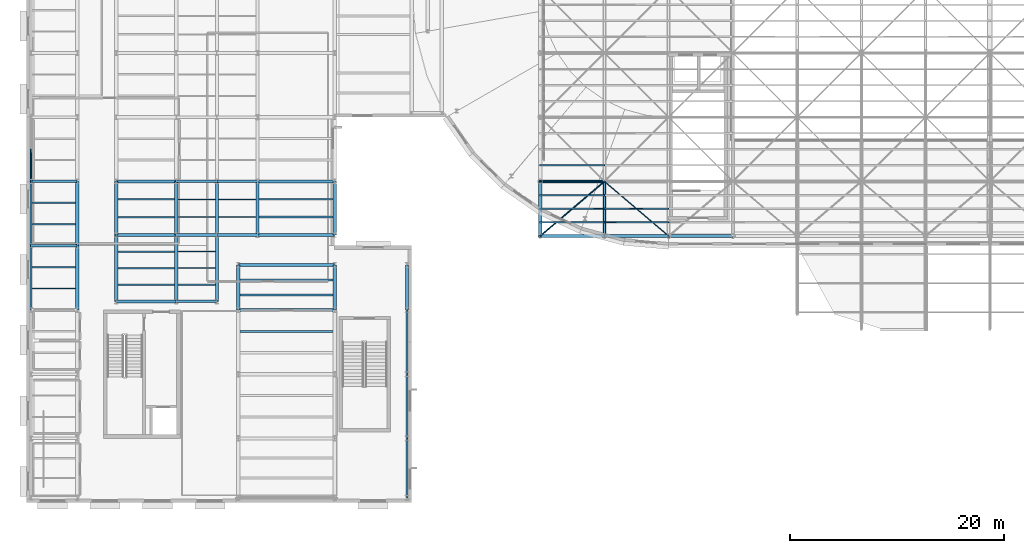
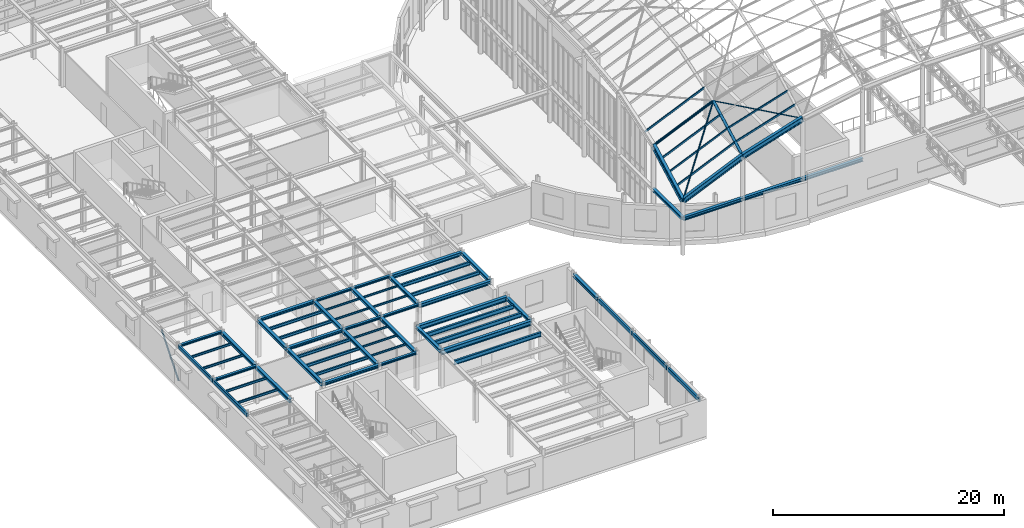
# One storey, part 16 of 75: 60 beams, 11 members.
"""IFC4 building model written with IfcOpenShell, lengths in metres."""

from ifc_helpers import new_model, si_unit, direction, frame, origin, origin_2d, place, context, subcontext, project, spatial, hollow_rectangle, hollow_circle, i_section, extrude, material, material_profile, profile_set, type_object, element, save


model = new_model("IFC4")

# Units and contexts
model_context = context("Model", 3, precision=1e-05, world=origin(), true_north=direction((0.0, 1.0)))
body_context = subcontext(model_context, "Body", "Model", "MODEL_VIEW")
ifc_project = project(units=[si_unit("LENGTHUNIT", "METRE"), si_unit("AREAUNIT", "SQUARE_METRE"), si_unit("VOLUMEUNIT", "CUBIC_METRE"), si_unit("PLANEANGLEUNIT", "RADIAN"), si_unit("MASSUNIT", "GRAM", prefix="KILO")], contexts=[model_context])

# Site, building, storey
site_placement = place(None, origin())
site = spatial("IfcSite", under=ifc_project, at=site_placement, CompositionType="ELEMENT")
building_placement = place(site_placement, origin())
building = spatial("IfcBuilding", under=site, at=building_placement, Name="Kolvaren Corner Interchange", CompositionType="ELEMENT")
storey_placement = place(building_placement, frame((0.0, 0.0, 10.5)))
storey = spatial("IfcBuildingStorey", under=building, at=storey_placement, Name="L03", CompositionType="ELEMENT", Elevation=10.5)

# Beams
ifc_material_1 = material(Name="Steel S355", Category="steel")
ifc_material_profile_1 = material_profile(ifc_material_1, i_section(OverallWidth=0.239990234375, OverallDepth=0.22998046875, WebThickness=0.007568359375, FlangeThickness=0.011962890625, FilletRadius=0.02099609375, at=origin_2d()), Name="HEA 240")
ifc_profile_set_1 = profile_set([ifc_material_profile_1], Name="Steel S355")
beam_type_1 = type_object("IfcBeamType", Name="BM-HEA240", PredefinedType="BEAM", material=ifc_profile_set_1)
for number, where, z_axis, x_axis, name in (
    (1, (14.0, 18.800048828125, 3.8349609375), (1.0, 0.0, 0.0), (0.0, 1.0, 0.0), "Storey L03 Grid X Primary Girder 0828"),
    (2, (14.0, 25.0, 3.8349609375), (1.0, 0.0, 0.0), (0.0, 1.0, 0.0), "Storey L03 Grid X Primary Girder 0844"),
    (3, (17.800048828125, 25.0, 3.8349609375), (1.0, 0.0, 0.0), (0.0, 1.0, 0.0), "Storey L03 Grid X Primary Girder 0845"),
    (4, (14.0, 30.0, 3.8349609375), (1.0, 0.0, 0.0), (0.0, 1.0, 0.0), "Storey L03 Grid X Primary Girder 0848"),
    (5, (17.800048828125, 30.0, 3.8349609375), (1.0, 0.0, 0.0), (0.0, 1.0, 0.0), "Storey L03 Grid X Primary Girder 0849"),
):
    element("IfcBeam", number, at=place(storey_placement, frame(where, z_axis=z_axis, x_axis=x_axis)), inside=storey, type_object=beam_type_1, Name=name, PredefinedType="BEAM", context=body_context, shape_type="SweptSolid", body=[
        extrude(i_section(OverallWidth=0.239990234375, OverallDepth=0.22998046875, WebThickness=0.007568359375, FlangeThickness=0.011962890625, FilletRadius=0.02099609375, at=origin_2d()), origin(), (0.0, 0.0, 1.0), 3.800048828125),
    ])
for number, where, z_axis, x_axis, name in (
    (6, (0.449951171875, 24.0, 3.8349609375), (1.0, 0.0, 0.0), (0.0, 1.0, 0.0), "Storey L03 Grid X Primary Girder 0951"),
    (7, (0.449951171875, 30.0, 3.8349609375), (1.0, 0.0, 0.0), (0.0, 1.0, 0.0), "Storey L03 Grid X Primary Girder 0952"),
):
    element("IfcBeam", number, at=place(storey_placement, frame(where, z_axis=z_axis, x_axis=x_axis)), inside=storey, type_object=beam_type_1, Name=name, PredefinedType="BEAM", context=body_context, shape_type="SweptSolid", body=[
        extrude(i_section(OverallWidth=0.239990234375, OverallDepth=0.22998046875, WebThickness=0.007568359375, FlangeThickness=0.011962890625, FilletRadius=0.02099609375, at=origin_2d()), origin(), (0.0, 0.0, 1.0), 4.300048828125),
    ])
ifc_material_2 = material(Name="Steel S355", Category="steel")
ifc_material_profile_2 = material_profile(ifc_material_2, i_section(OverallWidth=0.300048828125, OverallDepth=0.2900390625, WebThickness=0.008544921875, FlangeThickness=0.013916015625, FilletRadius=0.027099609375, at=origin_2d()), Name="HEA 300")
ifc_profile_set_2 = profile_set([ifc_material_profile_2], Name="Steel S355")
beam_type_2 = type_object("IfcBeamType", Name="BM-HEA300", PredefinedType="BEAM", material=ifc_profile_set_2)
for number, where, z_axis, x_axis, name in (
    (8, (8.39990234375, 18.800048828125, 3.804931640625), (1.0, 0.0, 0.0), (0.0, 1.0, 0.0), "Storey L03 Grid X Primary Girder 0827"),
    (9, (8.39990234375, 25.0, 3.804931640625), (1.0, 0.0, 0.0), (0.0, 1.0, 0.0), "Storey L03 Grid X Primary Girder 0843"),
    (10, (8.39990234375, 30.0, 3.804931640625), (1.0, 0.0, 0.0), (0.0, 1.0, 0.0), "Storey L03 Grid X Primary Girder 0847"),
):
    element("IfcBeam", number, at=place(storey_placement, frame(where, z_axis=z_axis, x_axis=x_axis)), inside=storey, type_object=beam_type_2, Name=name, PredefinedType="BEAM", context=body_context, shape_type="SweptSolid", body=[
        extrude(i_section(OverallWidth=0.300048828125, OverallDepth=0.2900390625, WebThickness=0.008544921875, FlangeThickness=0.013916015625, FilletRadius=0.027099609375, at=origin_2d()), origin(), (0.0, 0.0, 1.0), 5.60009765625),
    ])
ifc_material_3 = material(Name="Steel S355", Category="steel")
ifc_material_profile_3 = material_profile(ifc_material_3, i_section(OverallWidth=0.300048828125, OverallDepth=0.31005859375, WebThickness=0.009033203125, FlangeThickness=0.015380859375, FilletRadius=0.027099609375, at=origin_2d()), Name="HEA 320")
ifc_profile_set_3 = profile_set([ifc_material_profile_3], Name="Steel S355")
beam_type_3 = type_object("IfcBeamType", Name="BM-HEA320", PredefinedType="BEAM", material=ifc_profile_set_3)
for number, where, z_axis, x_axis, name in (
    (11, (8.39990234375, 25.0, 3.794921875), (0.0, 1.0, 0.0), (-1.0, 0.0, 0.0), "Storey L03 Grid Y Primary Girder 0888"),
    (12, (14.0, 25.0, 3.794921875), (0.0, 1.0, 0.0), (-1.0, 0.0, 0.0), "Storey L03 Grid Y Primary Girder 0893"),
    (13, (17.800048828125, 25.0, 3.794921875), (0.0, 1.0, 0.0), (-1.0, 0.0, 0.0), "Storey L03 Grid Y Primary Girder 0898"),
    (14, (21.60009765625, 25.0, 3.77490234375), (0.0, 1.0, 0.0), (-1.0, 0.0, 0.0), "Storey L03 Grid Y Primary Girder 0904"),
    (15, (28.800048828125, 25.0, 3.77490234375), (0.0, 1.0, 0.0), (-1.0, 0.0, 0.0), "Storey L03 Grid Y Primary Girder 0912"),
):
    element("IfcBeam", number, at=place(storey_placement, frame(where, z_axis=z_axis, x_axis=x_axis)), inside=storey, type_object=beam_type_3, Name=name, PredefinedType="BEAM", context=body_context, shape_type="SweptSolid", body=[
        extrude(i_section(OverallWidth=0.300048828125, OverallDepth=0.31005859375, WebThickness=0.009033203125, FlangeThickness=0.015380859375, FilletRadius=0.027099609375, at=origin_2d()), origin(), (0.0, 0.0, 1.0), 5.0),
    ])
beam_1_placement = place(storey_placement, frame((48.0, 24.89990234375, 3.794921875), z_axis=(0.0, 1.0, 0.0), x_axis=(-1.0, 0.0, 0.0)))
element("IfcBeam", 16, at=beam_1_placement, inside=storey, type_object=beam_type_3, Name="Storey L03 Grid Y Primary Girder 0925", PredefinedType="BEAM", context=body_context, shape_type="SweptSolid", body=[
    extrude(i_section(OverallWidth=0.300048828125, OverallDepth=0.31005859375, WebThickness=0.009033203125, FlangeThickness=0.015380859375, FilletRadius=0.027099609375, at=origin_2d()), origin(), (0.0, 0.0, 1.0), 5.10009765625),
])
for number, where, z_axis, x_axis, name in (
    (17, (19.800048828125, 18.0, 3.794921875), (0.0, 1.0, 0.0), (-1.0, 0.0, 0.0), "Storey L03 Grid Y Primary Girder 1007"),
    (18, (28.800048828125, 18.0, 3.77490234375), (0.0, 1.0, 0.0), (-1.0, 0.0, 0.0), "Storey L03 Grid Y Primary Girder 1013"),
    (19, (35.550048828125, 18.0, 3.794921875), (0.0, 1.0, 0.0), (-1.0, 0.0, 0.0), "Storey L03 Grid Y Primary Girder 1019"),
):
    element("IfcBeam", number, at=place(storey_placement, frame(where, z_axis=z_axis, x_axis=x_axis)), inside=storey, type_object=beam_type_3, Name=name, PredefinedType="BEAM", context=body_context, shape_type="SweptSolid", body=[
        extrude(i_section(OverallWidth=0.300048828125, OverallDepth=0.31005859375, WebThickness=0.009033203125, FlangeThickness=0.015380859375, FilletRadius=0.027099609375, at=origin_2d()), origin(), (0.0, 0.0, 1.0), 4.199951171875),
    ])
ifc_material_4 = material(Name="Steel S355", Category="steel")
ifc_material_profile_4 = material_profile(ifc_material_4, i_section(OverallWidth=0.300048828125, OverallDepth=0.35009765625, WebThickness=0.010009765625, FlangeThickness=0.017578125, FilletRadius=0.027099609375, at=origin_2d()), Name="HEA 360")
ifc_profile_set_4 = profile_set([ifc_material_profile_4], Name="Steel S355")
beam_type_4 = type_object("IfcBeamType", Name="BM-HEA360", PredefinedType="BEAM", material=ifc_profile_set_4)
for number, where, z_axis, x_axis, name in (
    (20, (48.0, 24.89990234375, 3.77490234375), (1.0, 0.0, 0.0), (0.0, 1.0, 0.0), "Storey L03 Grid X Primary Girder 0829"),
    (21, (54.0, 24.89990234375, 3.77490234375), (1.0, 0.0, 0.0), (0.0, 1.0, 0.0), "Storey L03 Grid X Primary Girder 0830"),
    (22, (60.0, 24.89990234375, 3.77490234375), (1.0, 0.0, 0.0), (0.0, 1.0, 0.0), "Storey L03 Grid X Primary Girder 0831"),
):
    element("IfcBeam", number, at=place(storey_placement, frame(where, z_axis=z_axis, x_axis=x_axis)), inside=storey, type_object=beam_type_4, Name=name, PredefinedType="BEAM", context=body_context, shape_type="SweptSolid", body=[
        extrude(i_section(OverallWidth=0.300048828125, OverallDepth=0.35009765625, WebThickness=0.010009765625, FlangeThickness=0.017578125, FilletRadius=0.027099609375, at=origin_2d()), origin(), (0.0, 0.0, 1.0), 6.0),
    ])
for number, where, z_axis, x_axis, name in (
    (23, (8.39990234375, 18.800048828125, 3.77490234375), (0.0, 1.0, 0.0), (-1.0, 0.0, 0.0), "Storey L03 Grid Y Primary Girder 0887"),
    (24, (14.0, 18.800048828125, 3.77490234375), (0.0, 1.0, 0.0), (-1.0, 0.0, 0.0), "Storey L03 Grid Y Primary Girder 0892"),
    (25, (17.800048828125, 18.800048828125, 3.77490234375), (0.0, 1.0, 0.0), (-1.0, 0.0, 0.0), "Storey L03 Grid Y Primary Girder 0897"),
):
    element("IfcBeam", number, at=place(storey_placement, frame(where, z_axis=z_axis, x_axis=x_axis)), inside=storey, type_object=beam_type_4, Name=name, PredefinedType="BEAM", context=body_context, shape_type="SweptSolid", body=[
        extrude(i_section(OverallWidth=0.300048828125, OverallDepth=0.35009765625, WebThickness=0.010009765625, FlangeThickness=0.017578125, FilletRadius=0.027099609375, at=origin_2d()), origin(), (0.0, 0.0, 1.0), 6.199951171875),
    ])
for number, where, z_axis, x_axis, name in (
    (26, (4.75, 18.0, 3.77490234375), (0.0, 1.0, 0.0), (-1.0, 0.0, 0.0), "Storey L03 Grid Y Primary Girder 0991"),
    (27, (4.75, 24.0, 3.77490234375), (0.0, 1.0, 0.0), (-1.0, 0.0, 0.0), "Storey L03 Grid Y Primary Girder 0992"),
):
    element("IfcBeam", number, at=place(storey_placement, frame(where, z_axis=z_axis, x_axis=x_axis)), inside=storey, type_object=beam_type_4, Name=name, PredefinedType="BEAM", context=body_context, shape_type="SweptSolid", body=[
        extrude(i_section(OverallWidth=0.300048828125, OverallDepth=0.35009765625, WebThickness=0.010009765625, FlangeThickness=0.017578125, FilletRadius=0.027099609375, at=origin_2d()), origin(), (0.0, 0.0, 1.0), 6.0),
    ])
ifc_material_5 = material(Name="Steel S355", Category="steel")
ifc_material_profile_5 = material_profile(ifc_material_5, i_section(OverallWidth=0.300048828125, OverallDepth=0.389892578125, WebThickness=0.010986328125, FlangeThickness=0.01904296875, FilletRadius=0.027099609375, at=origin_2d()), Name="HEA 400")
ifc_profile_set_5 = profile_set([ifc_material_profile_5], Name="Steel S355")
beam_type_5 = type_object("IfcBeamType", Name="BM-HEA400", PredefinedType="BEAM", material=ifc_profile_set_5)
for number, where, z_axis, x_axis, name in (
    (28, (21.60009765625, 25.0, 3.735107421875), (1.0, 0.0, 0.0), (0.0, 1.0, 0.0), "Storey L03 Grid X Primary Girder 0846"),
    (29, (21.60009765625, 30.0, 3.735107421875), (1.0, 0.0, 0.0), (0.0, 1.0, 0.0), "Storey L03 Grid X Primary Girder 0850"),
):
    element("IfcBeam", number, at=place(storey_placement, frame(where, z_axis=z_axis, x_axis=x_axis)), inside=storey, type_object=beam_type_5, Name=name, PredefinedType="BEAM", context=body_context, shape_type="SweptSolid", body=[
        extrude(i_section(OverallWidth=0.300048828125, OverallDepth=0.389892578125, WebThickness=0.010986328125, FlangeThickness=0.01904296875, FilletRadius=0.027099609375, at=origin_2d()), origin(), (0.0, 0.0, 1.0), 7.199951171875),
    ])
ifc_material_6 = material(Name="Steel S355", Category="steel")
ifc_material_profile_6 = material_profile(ifc_material_6, i_section(OverallWidth=0.300048828125, OverallDepth=0.489990234375, WebThickness=0.011962890625, FlangeThickness=0.02294921875, FilletRadius=0.027099609375, at=origin_2d()), Name="HEA 500")
ifc_profile_set_6 = profile_set([ifc_material_profile_6], Name="Steel S355")
beam_type_6 = type_object("IfcBeamType", Name="BM-HEA500", PredefinedType="BEAM", material=ifc_profile_set_6)
for number, where, z_axis, x_axis, name in (
    (30, (19.800048828125, 18.0, 3.68505859375), (1.0, 0.0, 0.0), (0.0, 1.0, 0.0), "Storey L03 Grid X Primary Girder 0949"),
    (31, (19.800048828125, 22.199951171875, 3.68505859375), (1.0, 0.0, 0.0), (0.0, 1.0, 0.0), "Storey L03 Grid X Primary Girder 0950"),
):
    element("IfcBeam", number, at=place(storey_placement, frame(where, z_axis=z_axis, x_axis=x_axis)), inside=storey, type_object=beam_type_6, Name=name, PredefinedType="BEAM", context=body_context, shape_type="SweptSolid", body=[
        extrude(i_section(OverallWidth=0.300048828125, OverallDepth=0.489990234375, WebThickness=0.011962890625, FlangeThickness=0.02294921875, FilletRadius=0.027099609375, at=origin_2d()), origin(), (0.0, 0.0, 1.0), 9.0),
    ])
ifc_material_7 = material(Name="Steel S355", Category="steel")
ifc_material_profile_7 = material_profile(ifc_material_7, i_section(OverallWidth=0.300048828125, OverallDepth=0.5400390625, WebThickness=0.012451171875, FlangeThickness=0.02392578125, FilletRadius=0.027099609375, at=origin_2d()), Name="HEA 550")
ifc_profile_set_7 = profile_set([ifc_material_profile_7], Name="Steel S355")
beam_type_7 = type_object("IfcBeamType", Name="BM-HEA550", PredefinedType="BEAM", material=ifc_profile_set_7)
beam_2_placement = place(storey_placement, frame((48.0, 24.89990234375, 5.6650390625), z_axis=(0.916157334902, 0.0, 0.40081883402), x_axis=(0.0, 1.0, 0.0)))
element("IfcBeam", 32, at=beam_2_placement, inside=storey, type_object=beam_type_7, Name="Concourse Translational Gridshell Eaves Ring Beam 001", PredefinedType="BEAM", context=body_context, shape_type="SweptSolid", body=[
    extrude(i_section(OverallWidth=0.300048828125, OverallDepth=0.5400390625, WebThickness=0.012451171875, FlangeThickness=0.02392578125, FilletRadius=0.027099609375, at=origin_2d()), origin(), (0.0, 0.0, 1.0), 6.549072265625),
])
beam_3_placement = place(storey_placement, frame((54.0, 24.89990234375, 8.2900390625), z_axis=(0.954479978035, 0.0, 0.298274993136), x_axis=(0.0, 1.0, 0.0)))
element("IfcBeam", 33, at=beam_3_placement, inside=storey, type_object=beam_type_7, Name="Concourse Translational Gridshell Eaves Ring Beam 002", PredefinedType="BEAM", context=body_context, shape_type="SweptSolid", body=[
    extrude(i_section(OverallWidth=0.300048828125, OverallDepth=0.5400390625, WebThickness=0.012451171875, FlangeThickness=0.02392578125, FilletRadius=0.027099609375, at=origin_2d()), origin(), (0.0, 0.0, 1.0), 6.2861328125),
])
beam_4_placement = place(storey_placement, frame((48.0, 24.89990234375, 5.6650390625), z_axis=(0.0, 0.880338454691, 0.474346081666), x_axis=(-1.0, 0.0, 0.0)))
element("IfcBeam", 34, at=beam_4_placement, inside=storey, type_object=beam_type_7, Name="Concourse Translational Gridshell Eaves Ring Beam 029", PredefinedType="BEAM", context=body_context, shape_type="SweptSolid", body=[
    extrude(i_section(OverallWidth=0.300048828125, OverallDepth=0.5400390625, WebThickness=0.012451171875, FlangeThickness=0.02392578125, FilletRadius=0.027099609375, at=origin_2d()), origin(), (0.0, 0.0, 1.0), 5.79345703125),
])
ifc_material_8 = material(Name="Steel S355", Category="steel")
ifc_material_profile_8 = material_profile(ifc_material_8, i_section(OverallWidth=0.10009765625, OverallDepth=0.199951171875, WebThickness=0.005615234375, FlangeThickness=0.008544921875, FilletRadius=0.011962890625, at=origin_2d()), Name="IPE 200")
ifc_profile_set_8 = profile_set([ifc_material_profile_8], Name="Steel S355")
beam_type_8 = type_object("IfcBeamType", Name="JS-IPE200", PredefinedType="JOIST", material=ifc_profile_set_8)
for number, where, z_axis, x_axis, name in (
    (35, (14.14990234375, 20.35009765625, 3.85009765625), (1.0, 0.0, 0.0), (0.0, 1.0, 0.0), "Storey L03 Composite Floor Joist 0790"),
    (36, (14.14990234375, 21.89990234375, 3.85009765625), (1.0, 0.0, 0.0), (0.0, 1.0, 0.0), "Storey L03 Composite Floor Joist 0791"),
    (37, (14.14990234375, 23.449951171875, 3.85009765625), (1.0, 0.0, 0.0), (0.0, 1.0, 0.0), "Storey L03 Composite Floor Joist 0792"),
    (38, (14.14990234375, 26.666748046875, 3.85009765625), (1.0, 0.0, 0.0), (0.0, 1.0, 0.0), "Storey L03 Composite Floor Joist 0793"),
    (39, (14.14990234375, 28.333251953125, 3.85009765625), (1.0, 0.0, 0.0), (0.0, 1.0, 0.0), "Storey L03 Composite Floor Joist 0794"),
    (40, (17.949951171875, 26.666748046875, 3.85009765625), (1.0, 0.0, 0.0), (0.0, 1.0, 0.0), "Storey L03 Composite Floor Joist 0801"),
    (41, (17.949951171875, 28.333251953125, 3.85009765625), (1.0, 0.0, 0.0), (0.0, 1.0, 0.0), "Storey L03 Composite Floor Joist 0802"),
):
    element("IfcBeam", number, at=place(storey_placement, frame(where, z_axis=z_axis, x_axis=x_axis)), inside=storey, type_object=beam_type_8, Name=name, PredefinedType="JOIST", context=body_context, shape_type="SweptSolid", body=[
        extrude(i_section(OverallWidth=0.10009765625, OverallDepth=0.199951171875, WebThickness=0.005615234375, FlangeThickness=0.008544921875, FilletRadius=0.011962890625, at=origin_2d()), origin(), (0.0, 0.0, 1.0), 3.5),
    ])
ifc_material_9 = material(Name="Steel S355", Category="steel")
ifc_material_profile_9 = material_profile(ifc_material_9, i_section(OverallWidth=0.1201171875, OverallDepth=0.239990234375, WebThickness=0.006103515625, FlangeThickness=0.009765625, FilletRadius=0.014892578125, at=origin_2d()), Name="IPE 240")
ifc_profile_set_9 = profile_set([ifc_material_profile_9], Name="Steel S355")
beam_type_9 = type_object("IfcBeamType", Name="JS-IPE240", PredefinedType="JOIST", material=ifc_profile_set_9)
for number, where, z_axis, x_axis, name in (
    (42, (0.550048828125, 20.0, 3.830078125), (1.0, 0.0, 0.0), (0.0, 1.0, 0.0), "Storey L03 Composite Floor Joist 0839"),
    (43, (0.550048828125, 22.0, 3.830078125), (1.0, 0.0, 0.0), (0.0, 1.0, 0.0), "Storey L03 Composite Floor Joist 0840"),
    (44, (0.550048828125, 26.0, 3.830078125), (1.0, 0.0, 0.0), (0.0, 1.0, 0.0), "Storey L03 Composite Floor Joist 0841"),
    (45, (0.550048828125, 28.0, 3.830078125), (1.0, 0.0, 0.0), (0.0, 1.0, 0.0), "Storey L03 Composite Floor Joist 0842"),
):
    element("IfcBeam", number, at=place(storey_placement, frame(where, z_axis=z_axis, x_axis=x_axis)), inside=storey, type_object=beam_type_9, Name=name, PredefinedType="JOIST", context=body_context, shape_type="SweptSolid", body=[
        extrude(i_section(OverallWidth=0.1201171875, OverallDepth=0.239990234375, WebThickness=0.006103515625, FlangeThickness=0.009765625, FilletRadius=0.014892578125, at=origin_2d()), origin(), (0.0, 0.0, 1.0), 4.050048828125),
    ])
ifc_material_10 = material(Name="Steel S355", Category="steel")
ifc_material_profile_10 = material_profile(ifc_material_10, i_section(OverallWidth=0.14990234375, OverallDepth=0.300048828125, WebThickness=0.007080078125, FlangeThickness=0.0107421875, FilletRadius=0.014892578125, at=origin_2d()), Name="IPE 300")
ifc_profile_set_10 = profile_set([ifc_material_profile_10], Name="Steel S355")
beam_type_10 = type_object("IfcBeamType", Name="JS-IPE300", PredefinedType="JOIST", material=ifc_profile_set_10)
for number, where, z_axis, x_axis, name in (
    (46, (8.550048828125, 20.35009765625, 3.800048828125), (1.0, 0.0, 0.0), (0.0, 1.0, 0.0), "Storey L03 Composite Floor Joist 0779"),
    (47, (8.550048828125, 21.89990234375, 3.800048828125), (1.0, 0.0, 0.0), (0.0, 1.0, 0.0), "Storey L03 Composite Floor Joist 0780"),
    (48, (8.550048828125, 23.449951171875, 3.800048828125), (1.0, 0.0, 0.0), (0.0, 1.0, 0.0), "Storey L03 Composite Floor Joist 0781"),
    (49, (8.550048828125, 26.666748046875, 3.800048828125), (1.0, 0.0, 0.0), (0.0, 1.0, 0.0), "Storey L03 Composite Floor Joist 0782"),
    (50, (8.550048828125, 28.333251953125, 3.800048828125), (1.0, 0.0, 0.0), (0.0, 1.0, 0.0), "Storey L03 Composite Floor Joist 0783"),
):
    element("IfcBeam", number, at=place(storey_placement, frame(where, z_axis=z_axis, x_axis=x_axis)), inside=storey, type_object=beam_type_10, Name=name, PredefinedType="JOIST", context=body_context, shape_type="SweptSolid", body=[
        extrude(i_section(OverallWidth=0.14990234375, OverallDepth=0.300048828125, WebThickness=0.007080078125, FlangeThickness=0.0107421875, FilletRadius=0.014892578125, at=origin_2d()), origin(), (0.0, 0.0, 1.0), 5.300048828125),
    ])
ifc_material_11 = material(Name="Steel S355", Category="steel")
ifc_material_profile_11 = material_profile(ifc_material_11, i_section(OverallWidth=0.169921875, OverallDepth=0.360107421875, WebThickness=0.008056640625, FlangeThickness=0.0126953125, FilletRadius=0.01806640625, at=origin_2d()), Name="IPE 360")
ifc_profile_set_11 = profile_set([ifc_material_profile_11], Name="Steel S355")
beam_type_11 = type_object("IfcBeamType", Name="JS-IPE360", PredefinedType="JOIST", material=ifc_profile_set_11)
for number, where, z_axis, x_axis, name in (
    (51, (21.75, 26.666748046875, 3.75), (1.0, 0.0, 0.0), (0.0, 1.0, 0.0), "Storey L03 Composite Floor Joist 0815"),
    (52, (21.75, 28.333251953125, 3.75), (1.0, 0.0, 0.0), (0.0, 1.0, 0.0), "Storey L03 Composite Floor Joist 0816"),
):
    element("IfcBeam", number, at=place(storey_placement, frame(where, z_axis=z_axis, x_axis=x_axis)), inside=storey, type_object=beam_type_11, Name=name, PredefinedType="JOIST", context=body_context, shape_type="SweptSolid", body=[
        extrude(i_section(OverallWidth=0.169921875, OverallDepth=0.360107421875, WebThickness=0.008056640625, FlangeThickness=0.0126953125, FilletRadius=0.01806640625, at=origin_2d()), origin(), (0.0, 0.0, 1.0), 6.89990234375),
    ])
ifc_material_12 = material(Name="Steel S355", Category="steel")
ifc_material_profile_12 = material_profile(ifc_material_12, i_section(OverallWidth=0.18994140625, OverallDepth=0.449951171875, WebThickness=0.009521484375, FlangeThickness=0.0146484375, FilletRadius=0.02099609375, at=origin_2d()), Name="IPE 450")
ifc_profile_set_12 = profile_set([ifc_material_profile_12], Name="Steel S355")
beam_type_12 = type_object("IfcBeamType", Name="JS-IPE450", PredefinedType="JOIST", material=ifc_profile_set_12)
for number, where, z_axis, x_axis, name in (
    (53, (19.949951171875, 16.0, 3.72509765625), (1.0, 0.0, 0.0), (0.0, 1.0, 0.0), "Storey L03 Composite Floor Joist 0873"),
    (54, (19.949951171875, 19.39990234375, 3.72509765625), (1.0, 0.0, 0.0), (0.0, 1.0, 0.0), "Storey L03 Composite Floor Joist 0874"),
    (55, (19.949951171875, 20.800048828125, 3.72509765625), (1.0, 0.0, 0.0), (0.0, 1.0, 0.0), "Storey L03 Composite Floor Joist 0875"),
):
    element("IfcBeam", number, at=place(storey_placement, frame(where, z_axis=z_axis, x_axis=x_axis)), inside=storey, type_object=beam_type_12, Name=name, PredefinedType="JOIST", context=body_context, shape_type="SweptSolid", body=[
        extrude(i_section(OverallWidth=0.18994140625, OverallDepth=0.449951171875, WebThickness=0.009521484375, FlangeThickness=0.0146484375, FilletRadius=0.02099609375, at=origin_2d()), origin(), (0.0, 0.0, 1.0), 8.699951171875),
    ])

# Members
ifc_material_13 = material(Name="Steel S355", Category="steel")
ifc_material_profile_13 = material_profile(ifc_material_13, hollow_circle(Radius=0.05078125, WallThickness=0.00634765625, at=origin_2d()), Name="CHS 101.6x6.3")
ifc_profile_set_13 = profile_set([ifc_material_profile_13], Name="Steel S355")
member_type_1 = type_object("IfcMemberType", Name="MEM-BR-CHS102", PredefinedType="BRACE", material=ifc_profile_set_13)
member_1_placement = place(storey_placement, frame((54.0, 30.0, 11.0380859375), z_axis=(0.757293261075, -0.64371159765, -0.11019208584), x_axis=(0.647655619635, 0.761933198092, 0.0)))
element("IfcMember", 56, at=member_1_placement, inside=storey, type_object=member_type_1, Name="Concourse Translational Gridshell Nodal Diagonal Brace 0009", PredefinedType="BRACE", context=body_context, shape_type="SweptSolid", body=[
    extrude(hollow_circle(Radius=0.05078125, WallThickness=0.00634765625, at=origin_2d()), origin(), (0.0, 0.0, 1.0), 7.9228515625),
])
ifc_material_14 = material(Name="Steel S355", Category="steel")
ifc_material_profile_14 = material_profile(ifc_material_14, hollow_circle(Radius=0.06982421875, WallThickness=0.008056640625, at=origin_2d()), Name="CHS 139.7x8.0")
ifc_profile_set_14 = profile_set([ifc_material_profile_14], Name="Steel S355")
member_type_2 = type_object("IfcMemberType", Name="MEM-BR-CHS140", PredefinedType="BRACE", material=ifc_profile_set_14)
member_2_placement = place(storey_placement, frame((48.0, 24.89990234375, 5.6650390625), z_axis=(0.629383841285, 0.534986508969, 0.563618146932), x_axis=(-0.647655619635, 0.761933198092, 0.0)))
element("IfcMember", 57, at=member_2_placement, inside=storey, type_object=member_type_2, Name="Concourse Translational Gridshell Nodal Diagonal Brace 0001", PredefinedType="BRACE", context=body_context, shape_type="SweptSolid", body=[
    extrude(hollow_circle(Radius=0.06982421875, WallThickness=0.008056640625, at=origin_2d()), origin(), (0.0, 0.0, 1.0), 9.533203125),
])
ifc_material_15 = material(Name="Steel S355", Category="steel")
ifc_material_profile_15 = material_profile(ifc_material_15, hollow_circle(Radius=0.084228515625, WallThickness=0.008056640625, at=origin_2d()), Name="CHS 168.3x8.0")
ifc_profile_set_15 = profile_set([ifc_material_profile_15], Name="Steel S355")
member_type_3 = type_object("IfcMemberType", Name="MEM-BR-CHS168", PredefinedType="BRACE", material=ifc_profile_set_15)
member_3_placement = place(storey_placement, frame((0.449951171875, 30.0, 0.1201171875), z_axis=(0.0, 0.634468516622, 0.772948705553), x_axis=(-1.0, 0.0, 0.0)))
element("IfcMember", 58, at=member_3_placement, inside=storey, type_object=member_type_3, Name="Storey L03 Lateral Chevron Steel Brace 08 Left", PredefinedType="BRACE", context=body_context, shape_type="SweptSolid", body=[
    extrude(hollow_circle(Radius=0.084228515625, WallThickness=0.008056640625, at=origin_2d()), origin(), (0.0, 0.0, 1.0), 4.728271484375),
])
ifc_material_16 = material(Name="Steel S355", Category="steel")
ifc_material_profile_16 = material_profile(ifc_material_16, hollow_circle(Radius=0.122314453125, WallThickness=0.012451171875, at=origin_2d()), Name="CHS 244.5x12.5")
ifc_profile_set_16 = profile_set([ifc_material_profile_16], Name="Steel S355")
member_type_4 = type_object("IfcMemberType", Name="MEM-CH-CHS245", PredefinedType="CHORD", material=ifc_profile_set_16)
member_4_placement = place(storey_placement, frame((48.0, 30.0, 8.4130859375), z_axis=(0.916157334902, 0.0, 0.40081883402), x_axis=(0.0, 1.0, 0.0)))
element("IfcMember", 59, at=member_4_placement, inside=storey, type_object=member_type_4, Name="Concourse Translational Gridshell Longitudinal Arch Chord 0105", PredefinedType="CHORD", context=body_context, shape_type="SweptSolid", body=[
    extrude(hollow_circle(Radius=0.122314453125, WallThickness=0.012451171875, at=origin_2d()), origin(), (0.0, 0.0, 1.0), 6.549072265625),
])
ifc_material_17 = material(Name="Steel S355", Category="steel")
ifc_material_profile_17 = material_profile(ifc_material_17, hollow_circle(Radius=0.136474609375, WallThickness=0.012451171875, at=origin_2d()), Name="CHS 273.0x12.5")
ifc_profile_set_17 = profile_set([ifc_material_profile_17], Name="Steel S355")
member_type_5 = type_object("IfcMemberType", Name="MEM-CH-CHS273", PredefinedType="CHORD", material=ifc_profile_set_17)
member_5_placement = place(storey_placement, frame((54.0, 24.89990234375, 8.2900390625), z_axis=(0.0, 0.880338454691, 0.474346081666), x_axis=(-1.0, 0.0, 0.0)))
element("IfcMember", 60, at=member_5_placement, inside=storey, type_object=member_type_5, Name="Concourse Translational Gridshell Transverse Arch Chord 0001", PredefinedType="CHORD", context=body_context, shape_type="SweptSolid", body=[
    extrude(hollow_circle(Radius=0.136474609375, WallThickness=0.012451171875, at=origin_2d()), origin(), (0.0, 0.0, 1.0), 5.79345703125),
])
ifc_material_18 = material(Name="Steel S355", Category="steel")
ifc_material_profile_18 = material_profile(ifc_material_18, hollow_rectangle(XDim=0.10009765625, YDim=0.179931640625, WallThickness=0.008056640625, InnerFilletRadius=0.008056640625, OuterFilletRadius=0.01611328125, at=origin_2d()), Name="RHS 180x100x8.0")
ifc_profile_set_18 = profile_set([ifc_material_profile_18], Name="Steel S355")
member_type_6 = type_object("IfcMemberType", Name="MEM-PR-RHS180", PredefinedType="PURLIN", material=ifc_profile_set_18)
member_6_placement = place(storey_placement, frame((48.0, 27.449951171875, 7.0869140625), z_axis=(0.916157334902, 0.0, 0.40081883402), x_axis=(0.0, 1.0, 0.0)))
element("IfcMember", 61, at=member_6_placement, inside=storey, type_object=member_type_6, Name="Concourse Translational Gridshell Glazing Purlin 0001 Row 2", PredefinedType="PURLIN", context=body_context, shape_type="SweptSolid", body=[
    extrude(hollow_rectangle(XDim=0.10009765625, YDim=0.179931640625, WallThickness=0.008056640625, InnerFilletRadius=0.008056640625, OuterFilletRadius=0.01611328125, at=origin_2d()), origin(), (0.0, 0.0, 1.0), 6.549072265625),
])
member_7_placement = place(storey_placement, frame((54.0, 27.449951171875, 9.7119140625), z_axis=(0.954479978035, 0.0, 0.298274993136), x_axis=(0.0, 1.0, 0.0)))
element("IfcMember", 62, at=member_7_placement, inside=storey, type_object=member_type_6, Name="Concourse Translational Gridshell Glazing Purlin 0009 Row 2", PredefinedType="PURLIN", context=body_context, shape_type="SweptSolid", body=[
    extrude(hollow_rectangle(XDim=0.10009765625, YDim=0.179931640625, WallThickness=0.008056640625, InnerFilletRadius=0.008056640625, OuterFilletRadius=0.01611328125, at=origin_2d()), origin(), (0.0, 0.0, 1.0), 6.2861328125),
])
ifc_material_19 = material(Name="Steel S355", Category="steel")
ifc_material_profile_19 = material_profile(ifc_material_19, hollow_rectangle(XDim=0.10009765625, YDim=0.199951171875, WallThickness=0.008056640625, InnerFilletRadius=0.008056640625, OuterFilletRadius=0.01611328125, at=origin_2d()), Name="RHS 200x100x8.0")
ifc_profile_set_19 = profile_set([ifc_material_profile_19], Name="Steel S355")
member_type_7 = type_object("IfcMemberType", Name="MEM-PR-RHS200", PredefinedType="PURLIN", material=ifc_profile_set_19)
for number, where, z_axis, x_axis, name in (
    (63, (48.0, 26.175048828125, 6.389892578125), (0.916157334902, 0.0, 0.40081883402), (0.0, 1.0, 0.0), "Concourse Translational Gridshell Glazing Purlin 0001 Row 1"),
    (64, (48.0, 28.72509765625, 7.763916015625), (0.916157334902, 0.0, 0.40081883402), (0.0, 1.0, 0.0), "Concourse Translational Gridshell Glazing Purlin 0001 Row 3"),
    (65, (48.0, 31.5, 8.950927734375), (0.916157334902, 0.0, 0.40081883402), (0.0, 1.0, 0.0), "Concourse Translational Gridshell Glazing Purlin 0002 Row 1"),
):
    element("IfcMember", number, at=place(storey_placement, frame(where, z_axis=z_axis, x_axis=x_axis)), inside=storey, type_object=member_type_7, Name=name, PredefinedType="PURLIN", context=body_context, shape_type="SweptSolid", body=[
        extrude(hollow_rectangle(XDim=0.10009765625, YDim=0.199951171875, WallThickness=0.008056640625, InnerFilletRadius=0.008056640625, OuterFilletRadius=0.01611328125, at=origin_2d()), origin(), (0.0, 0.0, 1.0), 6.549072265625),
    ])
member_8_placement = place(storey_placement, frame((54.0, 26.175048828125, 9.014892578125), z_axis=(0.954479978035, 0.0, 0.298274993136), x_axis=(0.0, 1.0, 0.0)))
element("IfcMember", 66, at=member_8_placement, inside=storey, type_object=member_type_7, Name="Concourse Translational Gridshell Glazing Purlin 0009 Row 1", PredefinedType="PURLIN", context=body_context, shape_type="SweptSolid", body=[
    extrude(hollow_rectangle(XDim=0.10009765625, YDim=0.199951171875, WallThickness=0.008056640625, InnerFilletRadius=0.008056640625, OuterFilletRadius=0.01611328125, at=origin_2d()), origin(), (0.0, 0.0, 1.0), 6.2861328125),
])

# Beams
ifc_material_20 = material(Name="Steel S355", Category="steel")
ifc_material_profile_20 = material_profile(ifc_material_20, hollow_rectangle(XDim=0.199951171875, YDim=0.35009765625, WallThickness=0.012451171875, InnerFilletRadius=0.012451171875, OuterFilletRadius=0.02490234375, at=origin_2d()), Name="RHS 350x200x12.5")
ifc_profile_set_20 = profile_set([ifc_material_profile_20], Name="Steel S355")
beam_type_13 = type_object("IfcBeamType", Name="SP-RHS350", PredefinedType="SPANDREL", material=ifc_profile_set_20)
for number, where, z_axis, x_axis, name in (
    (67, (0.449951171875, 18.0, 3.77490234375), (0.0, 1.0, 0.0), (-1.0, 0.0, 0.0), "Storey L03 Grid Y Primary Girder 0977"),
    (68, (0.449951171875, 24.0, 3.77490234375), (0.0, 1.0, 0.0), (-1.0, 0.0, 0.0), "Storey L03 Grid Y Primary Girder 0978"),
):
    element("IfcBeam", number, at=place(storey_placement, frame(where, z_axis=z_axis, x_axis=x_axis)), inside=storey, type_object=beam_type_13, Name=name, PredefinedType="SPANDREL", context=body_context, shape_type="SweptSolid", body=[
        extrude(hollow_rectangle(XDim=0.199951171875, YDim=0.35009765625, WallThickness=0.012451171875, InnerFilletRadius=0.012451171875, OuterFilletRadius=0.02490234375, at=origin_2d()), origin(), (0.0, 0.0, 1.0), 6.0),
    ])
ifc_material_21 = material(Name="Steel S355", Category="steel")
ifc_material_profile_21 = material_profile(ifc_material_21, hollow_rectangle(XDim=0.199951171875, YDim=0.39990234375, WallThickness=0.012451171875, InnerFilletRadius=0.012451171875, OuterFilletRadius=0.02490234375, at=origin_2d()), Name="RHS 400x200x12.5")
ifc_profile_set_21 = profile_set([ifc_material_profile_21], Name="Steel S355")
beam_type_14 = type_object("IfcBeamType", Name="SP-RHS400", PredefinedType="SPANDREL", material=ifc_profile_set_21)
beam_5_placement = place(storey_placement, frame((35.550048828125, 0.449951171875, 3.75), z_axis=(0.0, 1.0, 0.0), x_axis=(-1.0, 0.0, 0.0)))
element("IfcBeam", 69, at=beam_5_placement, inside=storey, type_object=beam_type_14, Name="Storey L03 Grid Y Primary Girder 1016", PredefinedType="SPANDREL", context=body_context, shape_type="SweptSolid", body=[
    extrude(hollow_rectangle(XDim=0.199951171875, YDim=0.39990234375, WallThickness=0.012451171875, InnerFilletRadius=0.012451171875, OuterFilletRadius=0.02490234375, at=origin_2d()), origin(), (0.0, 0.0, 1.0), 5.550048828125),
])
for number, where, z_axis, x_axis, name in (
    (70, (35.550048828125, 6.0, 3.75), (0.0, 1.0, 0.0), (-1.0, 0.0, 0.0), "Storey L03 Grid Y Primary Girder 1017"),
    (71, (35.550048828125, 12.0, 3.75), (0.0, 1.0, 0.0), (-1.0, 0.0, 0.0), "Storey L03 Grid Y Primary Girder 1018"),
):
    element("IfcBeam", number, at=place(storey_placement, frame(where, z_axis=z_axis, x_axis=x_axis)), inside=storey, type_object=beam_type_14, Name=name, PredefinedType="SPANDREL", context=body_context, shape_type="SweptSolid", body=[
        extrude(hollow_rectangle(XDim=0.199951171875, YDim=0.39990234375, WallThickness=0.012451171875, InnerFilletRadius=0.012451171875, OuterFilletRadius=0.02490234375, at=origin_2d()), origin(), (0.0, 0.0, 1.0), 6.0),
    ])

save(model, "model.ifc")
